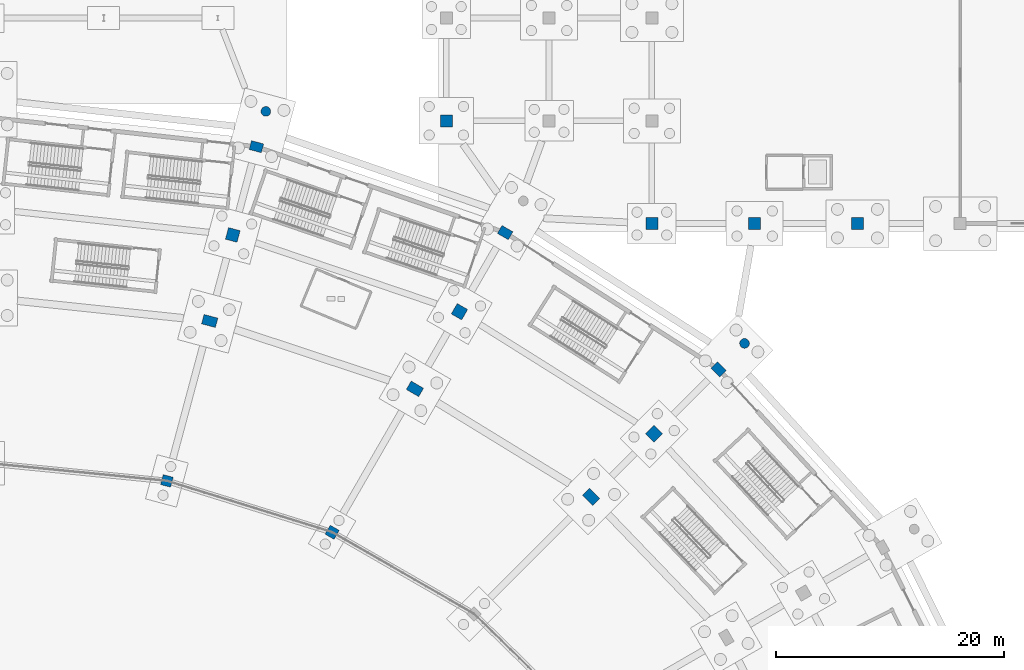
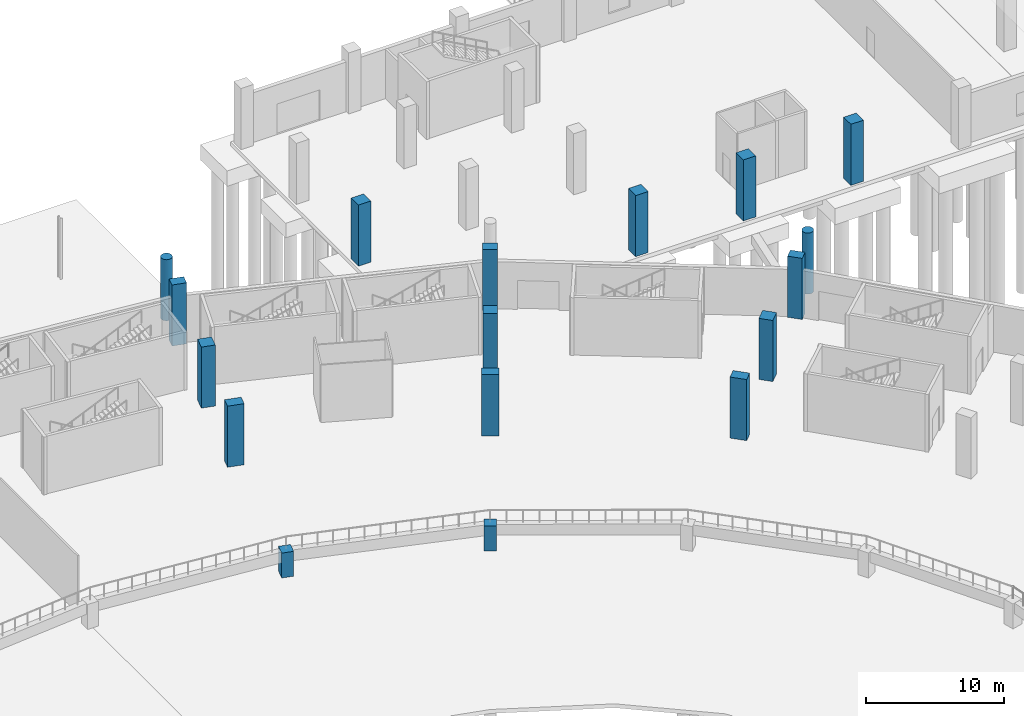
# One storey, part 24 of 103: 17 columns.
"""IFC4 building model written with IfcOpenShell, lengths in metres."""

from ifc_helpers import new_model, si_unit, direction, frame, origin, origin_2d, place, context, subcontext, project, spatial, rectangle, circle, extrude, material, material_profile, profile_set, type_object, element, save


model = new_model("IFC4")

# Units and contexts
model_context = context("Model", 3, precision=1e-05, world=origin(), true_north=direction((0.0, 1.0)))
body_context = subcontext(model_context, "Body", "Model", "MODEL_VIEW")
ifc_project = project(units=[si_unit("LENGTHUNIT", "METRE"), si_unit("AREAUNIT", "SQUARE_METRE"), si_unit("VOLUMEUNIT", "CUBIC_METRE"), si_unit("PLANEANGLEUNIT", "RADIAN"), si_unit("MASSUNIT", "GRAM", prefix="KILO")], contexts=[model_context])

# Site, building, storey
site_placement = place(None, origin())
site = spatial("IfcSite", under=ifc_project, at=site_placement, CompositionType="ELEMENT")
building_placement = place(site_placement, origin())
building = spatial("IfcBuilding", under=site, at=building_placement, Name="Zevraka Park Crest Stadium", CompositionType="ELEMENT")
storey_placement = place(building_placement, origin())
storey = spatial("IfcBuildingStorey", under=building, at=storey_placement, Name="L00", CompositionType="ELEMENT", Elevation=0.0)

# Columns
ifc_material_1 = material(Name="Concrete C40/50", Category="concrete")
ifc_material_profile_1 = material_profile(ifc_material_1, rectangle(XDim=0.85009765625, YDim=1.25, at=origin_2d()), Name="RC 1250x850")
ifc_profile_set_1 = profile_set([ifc_material_profile_1], Name="Concrete C40/50")
column_type_1 = type_object("IfcColumnType", Name="C01", PredefinedType="COLUMN", material=ifc_profile_set_1)
for number, where, z_axis, x_axis, name in (
    (1, (164.678955078125, 134.072998046875, 0.0), (0.0, 0.0, 1.0), (0.707106781187, 0.707106781187, 0.0), "Bowl Main Column C01 L00-B-03"),
    (2, (149.25, 143.529052734375, 0.0), (0.0, 0.0, 1.0), (0.5, 0.866025403784, 0.0), "Bowl Main Column C01 L00-B-04"),
    (3, (131.281982421875, 149.472900390625, 0.0), (0.0, 0.0, 1.0), (0.258819045103, 0.965925826289, 0.0), "Bowl Main Column C01 L00-B-05"),
):
    element("IfcColumn", number, at=place(storey_placement, frame(where, z_axis=z_axis, x_axis=x_axis)), inside=storey, type_object=column_type_1, Name=name, PredefinedType="COLUMN", context=body_context, shape_type="SweptSolid", body=[
        extrude(rectangle(XDim=0.85009765625, YDim=1.25, at=origin_2d()), origin(), (0.0, 0.0, 1.0), 5.39990234375),
    ])
ifc_material_2 = material(Name="Concrete C40/50", Category="concrete")
ifc_material_profile_2 = material_profile(ifc_material_2, rectangle(XDim=0.800048828125, YDim=1.10009765625, at=origin_2d()), Name="RC 1100x800")
ifc_profile_set_2 = profile_set([ifc_material_profile_2], Name="Concrete C40/50")
column_type_2 = type_object("IfcColumnType", Name="C02", PredefinedType="COLUMN", material=ifc_profile_set_2)
for number, where, z_axis, x_axis, name in (
    (4, (175.85205078125, 145.2451171875, 0.0), (0.0, 0.0, 1.0), (0.707106781187, 0.707106781187, 0.0), "Perimeter Ring Column C02 L00-D-03"),
    (5, (157.14990234375, 157.2119140625, 0.0), (0.0, 0.0, 1.0), (0.5, 0.866025403784, 0.0), "Perimeter Ring Column C02 L00-D-04"),
    (6, (135.37109375, 164.73388671875, 0.0), (0.0, 0.0, 1.0), (0.258819045103, 0.965925826289, 0.0), "Perimeter Ring Column C02 L00-D-05"),
):
    element("IfcColumn", number, at=place(storey_placement, frame(where, z_axis=z_axis, x_axis=x_axis)), inside=storey, type_object=column_type_2, Name=name, PredefinedType="COLUMN", context=body_context, shape_type="SweptSolid", body=[
        extrude(rectangle(XDim=0.800048828125, YDim=1.10009765625, at=origin_2d()), origin(), (0.0, 0.0, 1.0), 5.39990234375),
    ])
ifc_material_3 = material(Name="Concrete C40/50", Category="concrete")
ifc_material_profile_3 = material_profile(ifc_material_3, rectangle(XDim=1.050048828125, YDim=1.050048828125, at=origin_2d()), Name="RC 1050x1050")
ifc_profile_set_3 = profile_set([ifc_material_profile_3], Name="Concrete C40/50")
column_type_3 = type_object("IfcColumnType", Name="C03", PredefinedType="COLUMN", material=ifc_profile_set_3)
for number, where, z_axis, x_axis, name in (
    (7, (170.195068359375, 139.587890625, 0.0), (0.0, 0.0, 1.0), (0.707106781187, 0.707106781187, 0.0), "Concourse Mid Column C03 L00-C-03"),
    (8, (153.14990234375, 150.283935546875, 0.0), (0.0, 0.0, 1.0), (0.5, 0.866025403784, 0.0), "Concourse Mid Column C03 L00-C-04"),
    (9, (133.301025390625, 157.007080078125, 0.0), (0.0, 0.0, 1.0), (0.258819045103, 0.965925826289, 0.0), "Concourse Mid Column C03 L00-C-05"),
    (10, (152.0, 167.0, 0.0), (0.0, 0.0, 1.0), (1.0, 0.0, 0.0), "Wing Column C03 L00-17/U"),
    (11, (170.0, 158.0, 0.0), (0.0, 0.0, 1.0), (1.0, 0.0, 0.0), "Wing Column C03 L00-19/T"),
    (12, (179.0, 158.0, 0.0), (0.0, 0.0, 1.0), (1.0, 0.0, 0.0), "Wing Column C03 L00-20/T"),
    (13, (188.0, 158.0, 0.0), (0.0, 0.0, 1.0), (1.0, 0.0, 0.0), "Wing Column C03 L00-21/T"),
):
    element("IfcColumn", number, at=place(storey_placement, frame(where, z_axis=z_axis, x_axis=x_axis)), inside=storey, type_object=column_type_3, Name=name, PredefinedType="COLUMN", context=body_context, shape_type="SweptSolid", body=[
        extrude(rectangle(XDim=1.050048828125, YDim=1.050048828125, at=origin_2d()), origin(), (0.0, 0.0, 1.0), 5.39990234375),
    ])
ifc_material_4 = material(Name="Concrete C40/50", Category="concrete")
ifc_material_profile_4 = material_profile(ifc_material_4, rectangle(XDim=0.89990234375, YDim=0.89990234375, at=origin_2d()), Name="RC 900x900")
ifc_profile_set_4 = profile_set([ifc_material_profile_4], Name="Concrete C40/50")
column_type_4 = type_object("IfcColumnType", Name="C04", PredefinedType="COLUMN", material=ifc_profile_set_4)
for number, where, z_axis, x_axis, name in (
    (14, (142.0, 130.970947265625, 0.0), (0.0, 0.0, 1.0), (0.5, 0.866025403784, 0.0), "Bowl Moat Column C04 L00-A-04"),
    (15, (127.529052734375, 135.467041015625, 0.0), (0.0, 0.0, 1.0), (0.258819045103, 0.965925826289, 0.0), "Bowl Moat Column C04 L00-A-05"),
):
    element("IfcColumn", number, at=place(storey_placement, frame(where, z_axis=z_axis, x_axis=x_axis)), inside=storey, type_object=column_type_4, Name=name, PredefinedType="COLUMN", context=body_context, shape_type="SweptSolid", body=[
        extrude(rectangle(XDim=0.89990234375, YDim=0.89990234375, at=origin_2d()), origin(), (0.0, 0.0, 1.0), 2.199951171875),
    ])
ifc_material_5 = material(Name="Concrete C40/50", Category="concrete")
ifc_material_profile_5 = material_profile(ifc_material_5, circle(Radius=0.425048828125, at=origin_2d()), Name="RC D850")
ifc_profile_set_5 = profile_set([ifc_material_profile_5], Name="Concrete C40/50")
column_type_5 = type_object("IfcColumnType", Name="C06", PredefinedType="COLUMN", material=ifc_profile_set_5)
for number, where, z_axis, x_axis, name in (
    (16, (178.114013671875, 147.508056640625, 0.0), (0.0, 0.0, 1.0), (1.0, 0.0, 0.0), "Arcade Cumba Column C06 L00-E-03"),
    (17, (136.199951171875, 167.824951171875, 0.0), (0.0, 0.0, 1.0), (1.0, 0.0, 0.0), "Arcade Cumba Column C06 L00-E-05"),
):
    element("IfcColumn", number, at=place(storey_placement, frame(where, z_axis=z_axis, x_axis=x_axis)), inside=storey, type_object=column_type_5, Name=name, PredefinedType="COLUMN", context=body_context, shape_type="SweptSolid", body=[
        extrude(circle(Radius=0.425048828125, at=origin_2d()), origin(), (0.0, 0.0, 1.0), 5.39990234375),
    ])

save(model, "model.ifc")
